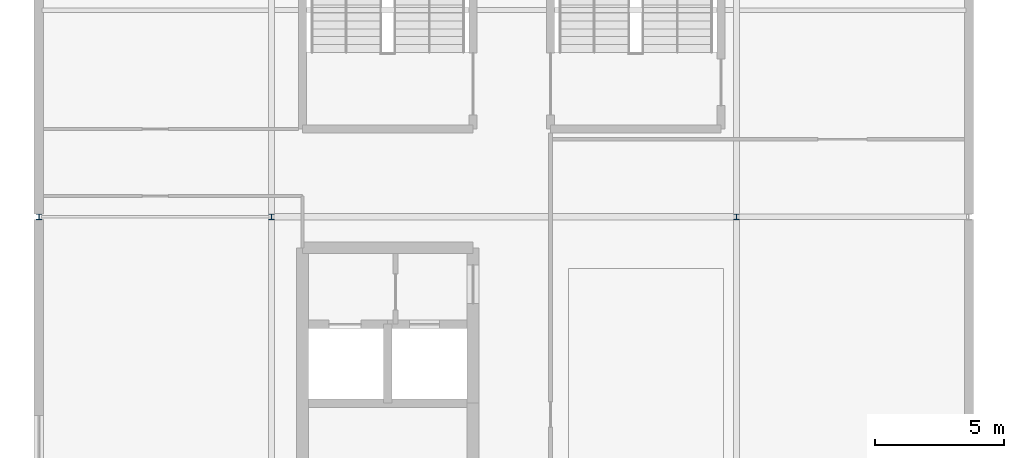
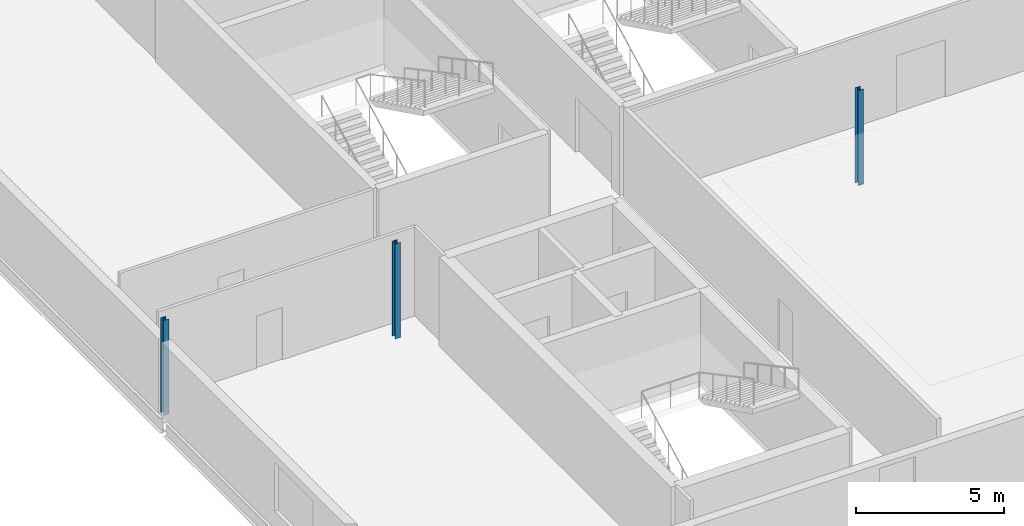
# One storey, part 2 of 35: 3 columns.
"""IFC4 building model written with IfcOpenShell, lengths in metres."""

from ifc_helpers import new_model, si_unit, direction, frame, origin, origin_2d, place, context, subcontext, project, spatial, i_section, extrude, material, material_profile, profile_set, type_object, element, save


model = new_model("IFC4")

# Units and contexts
model_context = context("Model", 3, precision=1e-05, world=origin(), true_north=direction((0.0, 1.0)))
body_context = subcontext(model_context, "Body", "Model", "MODEL_VIEW")
ifc_project = project(units=[si_unit("LENGTHUNIT", "METRE"), si_unit("AREAUNIT", "SQUARE_METRE"), si_unit("VOLUMEUNIT", "CUBIC_METRE"), si_unit("PLANEANGLEUNIT", "RADIAN"), si_unit("MASSUNIT", "GRAM", prefix="KILO")], contexts=[model_context])

# Site, building, storey
site_placement = place(None, origin())
site = spatial("IfcSite", under=ifc_project, at=site_placement, CompositionType="ELEMENT")
building_placement = place(site_placement, origin())
building = spatial("IfcBuilding", under=site, at=building_placement, Name="Kisiwana Market Hall", CompositionType="ELEMENT")
storey_placement = place(building_placement, frame((0.0, 0.0, 61.800048828125)))
storey = spatial("IfcBuildingStorey", under=building, at=storey_placement, Name="L14", CompositionType="ELEMENT", Elevation=61.800048828125)

# Columns
ifc_material = material(Name="Steel S355", Category="steel")
ifc_material_profile = material_profile(ifc_material, i_section(OverallWidth=0.205810546875, OverallDepth=0.209716796875, WebThickness=0.009521484375, FlangeThickness=0.01416015625, FilletRadius=0.01025390625, at=origin_2d()), Name="UC 203x203x60")
ifc_profile_set = profile_set([ifc_material_profile], Name="Steel S355")
column_type = type_object("IfcColumnType", Name="COL-STL-UC060", PredefinedType="COLUMN", material=ifc_profile_set)
for number, where, z_axis, x_axis, name in (
    (1, (0.0, 36.0, 0.0), (0.0, 0.0, 1.0), (1.0, 0.0, 0.0), "Column E/1 (L14) C-1443"),
    (2, (9.0, 36.0, 0.0), (0.0, 0.0, 1.0), (1.0, 0.0, 0.0), "Column E/2 (L14) C-1448"),
    (3, (27.0, 36.0, 0.0), (0.0, 0.0, 1.0), (1.0, 0.0, 0.0), "Column E/4 (L14) C-1452"),
):
    element("IfcColumn", number, at=place(storey_placement, frame(where, z_axis=z_axis, x_axis=x_axis)), inside=storey, type_object=column_type, Name=name, PredefinedType="COLUMN", context=body_context, shape_type="SweptSolid", body=[
        extrude(i_section(OverallWidth=0.205810546875, OverallDepth=0.209716796875, WebThickness=0.009521484375, FlangeThickness=0.01416015625, FilletRadius=0.01025390625, at=origin_2d()), origin(), (0.0, 0.0, 1.0), 3.89990234375),
    ])

save(model, "model.ifc")
